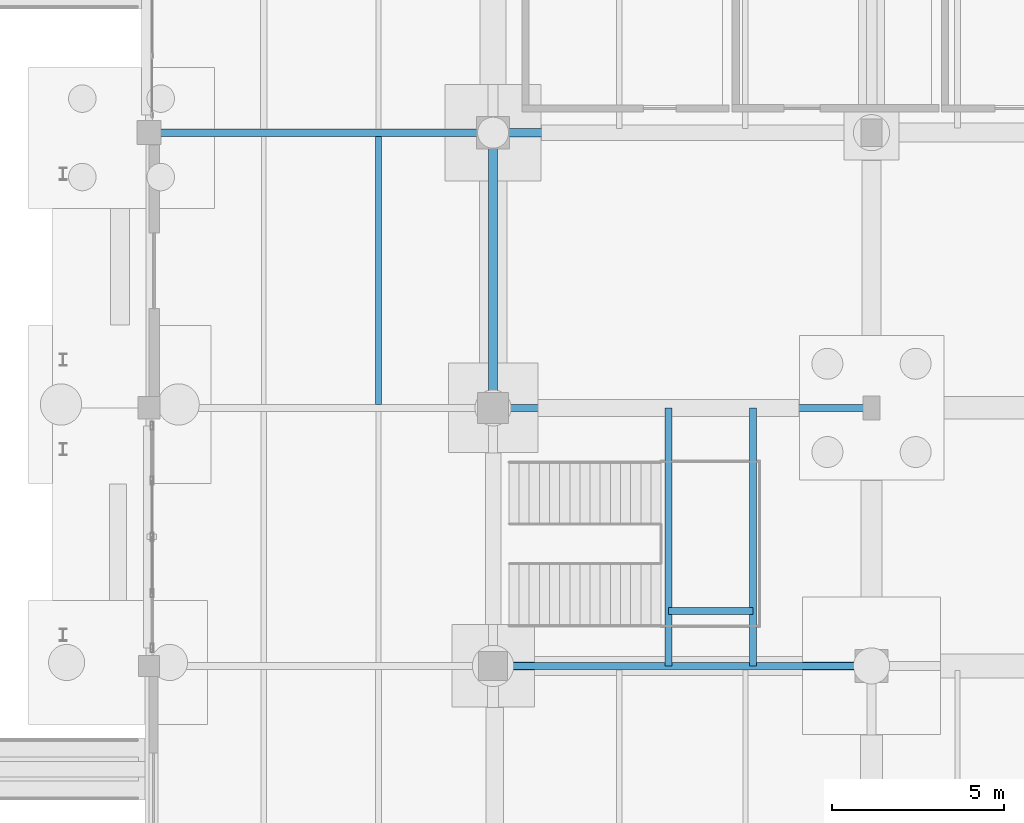
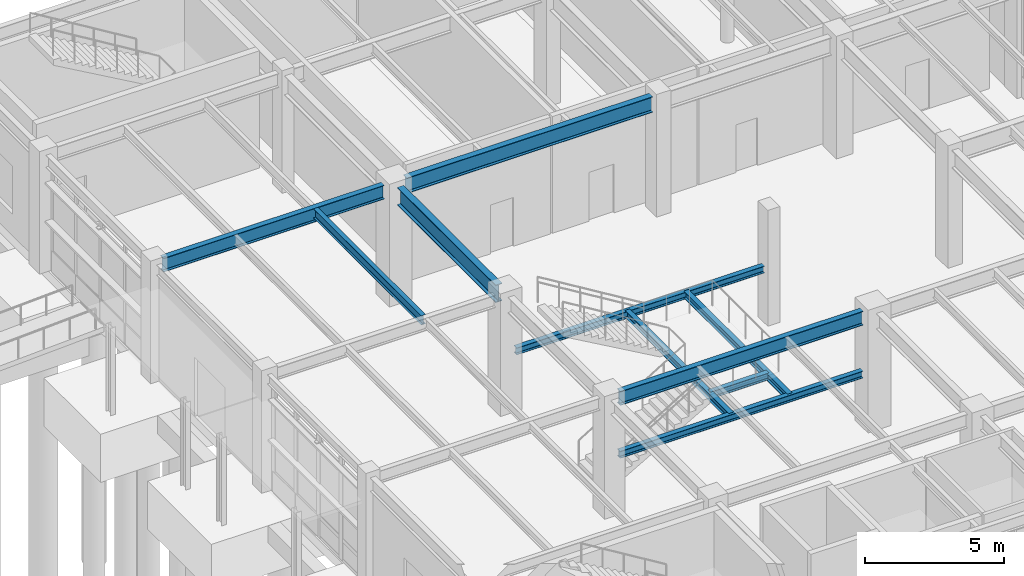
# One storey, part 35 of 203: 10 beams.
"""IFC4 building model written with IfcOpenShell, lengths in metres."""

from ifc_helpers import new_model, si_unit, direction, frame, origin, origin_2d, place, context, subcontext, project, spatial, i_section, extrude, material, material_profile, profile_set, type_object, element, save


model = new_model("IFC4")

# Units and contexts
model_context = context("Model", 3, precision=1e-05, world=origin(), true_north=direction((0.0, 1.0)))
body_context = subcontext(model_context, "Body", "Model", "MODEL_VIEW")
ifc_project = project(units=[si_unit("LENGTHUNIT", "METRE"), si_unit("AREAUNIT", "SQUARE_METRE"), si_unit("VOLUMEUNIT", "CUBIC_METRE"), si_unit("PLANEANGLEUNIT", "RADIAN"), si_unit("MASSUNIT", "GRAM", prefix="KILO"), si_unit("THERMODYNAMICTEMPERATUREUNIT", "KELVIN"), si_unit("POWERUNIT", "WATT")], contexts=[model_context])

# Site, building, storey
site_placement = place(None, origin())
site = spatial("IfcSite", under=ifc_project, at=site_placement, CompositionType="ELEMENT")
building_placement = place(site_placement, origin())
building = spatial("IfcBuilding", under=site, at=building_placement, Name="Tepalcoro Natatorium and Aquatics Centre", CompositionType="ELEMENT")
storey_placement = place(building_placement, origin())
storey = spatial("IfcBuildingStorey", under=building, at=storey_placement, Name="L00", CompositionType="ELEMENT", Elevation=0.0)

# Beams
ifc_material = material(Name="Steel ASTM A992 Grade 50 (Fy 345 MPa)", Category="steel")
ifc_material_profile_1 = material_profile(ifc_material, i_section(OverallWidth=0.202880859375, OverallDepth=0.304931640625, WebThickness=0.007080078125, FlangeThickness=0.012939453125, FilletRadius=0.013916015625, at=origin_2d()), Name="W12X40")
ifc_profile_set_1 = profile_set([ifc_material_profile_1], Name="Steel ASTM A992 Grade 50 (Fy 345 MPa)")
beam_type_1 = type_object("IfcBeamType", Name="BM_W12x40", PredefinedType="BEAM", material=ifc_profile_set_1)
beam_1_placement = place(storey_placement, frame((10.409912109375, 20.5, 2.347412109375), z_axis=(1.0, 0.0, 0.0), x_axis=(0.0, 1.0, 0.0)))
element("IfcBeam", 1, at=beam_1_placement, inside=storey, type_object=beam_type_1, Name="Atrium Feature Stair Mid-Height Header S", PredefinedType="BEAM", context=body_context, shape_type="SweptSolid", body=[
    extrude(i_section(OverallWidth=0.202880859375, OverallDepth=0.304931640625, WebThickness=0.007080078125, FlangeThickness=0.012939453125, FilletRadius=0.013916015625, at=origin_2d()), origin(), (0.0, 0.0, 1.0), 10.130126953125),
])
beam_2_placement = place(storey_placement, frame((10.43505859375, 28.0, 2.347412109375), z_axis=(1.0, 0.0, 0.0), x_axis=(0.0, 1.0, 0.0)))
element("IfcBeam", 2, at=beam_2_placement, inside=storey, type_object=beam_type_1, Name="Atrium Feature Stair Mid-Height Header N", PredefinedType="BEAM", context=body_context, shape_type="SweptSolid", body=[
    extrude(i_section(OverallWidth=0.202880859375, OverallDepth=0.304931640625, WebThickness=0.007080078125, FlangeThickness=0.012939453125, FilletRadius=0.013916015625, at=origin_2d()), origin(), (0.0, 0.0, 1.0), 10.329833984375),
])
for number, where, z_axis, x_axis, name in (
    (3, (15.10009765625, 20.501953125, 2.347412109375), (0.0, 1.0, 0.0), (-1.0, 0.0, 0.0), "Atrium Feature Stair Landing Trimmer W"),
    (4, (17.550048828125, 20.501953125, 2.347412109375), (0.0, 1.0, 0.0), (-1.0, 0.0, 0.0), "Atrium Feature Stair Landing Trimmer E"),
):
    element("IfcBeam", number, at=place(storey_placement, frame(where, z_axis=z_axis, x_axis=x_axis)), inside=storey, type_object=beam_type_1, Name=name, PredefinedType="BEAM", context=body_context, shape_type="SweptSolid", body=[
        extrude(i_section(OverallWidth=0.202880859375, OverallDepth=0.304931640625, WebThickness=0.007080078125, FlangeThickness=0.012939453125, FilletRadius=0.013916015625, at=origin_2d()), origin(), (0.0, 0.0, 1.0), 7.49609375),
    ])
beam_3_placement = place(storey_placement, frame((15.10205078125, 22.10009765625, 2.347412109375), z_axis=(1.0, 0.0, 0.0), x_axis=(0.0, 1.0, 0.0)))
element("IfcBeam", 5, at=beam_3_placement, inside=storey, type_object=beam_type_1, Name="Atrium Feature Stair Landing Cross-Beam M", PredefinedType="BEAM", context=body_context, shape_type="SweptSolid", body=[
    extrude(i_section(OverallWidth=0.202880859375, OverallDepth=0.304931640625, WebThickness=0.007080078125, FlangeThickness=0.012939453125, FilletRadius=0.013916015625, at=origin_2d()), origin(), (0.0, 0.0, 1.0), 2.446044921875),
])
ifc_material_profile_2 = material_profile(ifc_material, i_section(OverallWidth=0.22802734375, OverallDepth=0.60693359375, WebThickness=0.010986328125, FlangeThickness=0.01708984375, FilletRadius=0.013916015625, at=origin_2d()), Name="W24X76")
ifc_profile_set_2 = profile_set([ifc_material_profile_2], Name="Steel ASTM A992 Grade 50 (Fy 345 MPa)")
beam_type_2 = type_object("IfcBeamType", Name="BM_W24x76", PredefinedType="BEAM", material=ifc_profile_set_2)
beam_4_placement = place(storey_placement, frame((0.3349609375, 36.0, 4.841552734375), z_axis=(1.0, 0.0, 0.0), x_axis=(0.0, 1.0, 0.0)))
element("IfcBeam", 6, at=beam_4_placement, inside=storey, type_object=beam_type_2, Name="V3 L00 Grid Girder X", PredefinedType="BEAM", context=body_context, shape_type="SweptSolid", body=[
    extrude(i_section(OverallWidth=0.22802734375, OverallDepth=0.60693359375, WebThickness=0.010986328125, FlangeThickness=0.01708984375, FilletRadius=0.013916015625, at=origin_2d()), origin(), (0.0, 0.0, 1.0), 9.205078125),
])
ifc_material_profile_3 = material_profile(ifc_material, i_section(OverallWidth=0.22998046875, OverallDepth=0.616943359375, WebThickness=0.012939453125, FlangeThickness=0.02197265625, FilletRadius=0.013916015625, at=origin_2d()), Name="W24X94")
ifc_profile_set_3 = profile_set([ifc_material_profile_3], Name="Steel ASTM A992 Grade 50 (Fy 345 MPa)")
beam_type_3 = type_object("IfcBeamType", Name="BM_W24x94", PredefinedType="BEAM", material=ifc_profile_set_3)
beam_5_placement = place(storey_placement, frame((10.409912109375, 20.5, 4.83642578125), z_axis=(1.0, 0.0, 0.0), x_axis=(0.0, 1.0, 0.0)))
element("IfcBeam", 7, at=beam_5_placement, inside=storey, type_object=beam_type_3, Name="V3 L00 Grid Girder X", PredefinedType="BEAM", context=body_context, shape_type="SweptSolid", body=[
    extrude(i_section(OverallWidth=0.22998046875, OverallDepth=0.616943359375, WebThickness=0.012939453125, FlangeThickness=0.02197265625, FilletRadius=0.013916015625, at=origin_2d()), origin(), (0.0, 0.0, 1.0), 10.130126953125),
])
ifc_material_profile_4 = material_profile(ifc_material, i_section(OverallWidth=0.25390625, OverallDepth=0.68798828125, WebThickness=0.012939453125, FlangeThickness=0.02099609375, FilletRadius=0.013916015625, at=origin_2d()), Name="W27X102")
ifc_profile_set_4 = profile_set([ifc_material_profile_4], Name="Steel ASTM A992 Grade 50 (Fy 345 MPa)")
beam_type_4 = type_object("IfcBeamType", Name="BM_W27x102", PredefinedType="BEAM", material=ifc_profile_set_4)
beam_6_placement = place(storey_placement, frame((10.4599609375, 36.0, 4.801025390625), z_axis=(1.0, 0.0, 0.0), x_axis=(0.0, 1.0, 0.0)))
element("IfcBeam", 8, at=beam_6_placement, inside=storey, type_object=beam_type_4, Name="V3 L00 Grid Girder X", PredefinedType="BEAM", context=body_context, shape_type="SweptSolid", body=[
    extrude(i_section(OverallWidth=0.25390625, OverallDepth=0.68798828125, WebThickness=0.012939453125, FlangeThickness=0.02099609375, FilletRadius=0.013916015625, at=origin_2d()), origin(), (0.0, 0.0, 1.0), 10.255126953125),
])
ifc_material_profile_5 = material_profile(ifc_material, i_section(OverallWidth=0.26708984375, OverallDepth=0.780029296875, WebThickness=0.01708984375, FlangeThickness=0.030029296875, FilletRadius=0.013916015625, at=origin_2d()), Name="W30X148")
ifc_profile_set_5 = profile_set([ifc_material_profile_5], Name="Steel ASTM A992 Grade 50 (Fy 345 MPa)")
beam_type_5 = type_object("IfcBeamType", Name="BM_W30x148", PredefinedType="BEAM", material=ifc_profile_set_5)
beam_7_placement = place(storey_placement, frame((10.0, 28.43505859375, 4.7548828125), z_axis=(0.0, 1.0, 0.0), x_axis=(-1.0, 0.0, 0.0)))
element("IfcBeam", 9, at=beam_7_placement, inside=storey, type_object=beam_type_5, Name="V3 L00 Grid Girder Y", PredefinedType="BEAM", context=body_context, shape_type="SweptSolid", body=[
    extrude(i_section(OverallWidth=0.26708984375, OverallDepth=0.780029296875, WebThickness=0.01708984375, FlangeThickness=0.030029296875, FilletRadius=0.013916015625, at=origin_2d()), origin(), (0.0, 0.0, 1.0), 7.10498046875),
])
ifc_material_profile_6 = material_profile(ifc_material, i_section(OverallWidth=0.178955078125, OverallDepth=0.409912109375, WebThickness=0.009033203125, FlangeThickness=0.013916015625, FilletRadius=0.013916015625, at=origin_2d()), Name="W16X45")
ifc_profile_set_6 = profile_set([ifc_material_profile_6], Name="Steel ASTM A992 Grade 50 (Fy 345 MPa)")
beam_type_6 = type_object("IfcBeamType", Name="JS_W16x45", PredefinedType="JOIST", material=ifc_profile_set_6)
beam_8_placement = place(storey_placement, frame((6.666748046875, 28.10595703125, 4.93994140625), z_axis=(0.0, 1.0, 0.0), x_axis=(-1.0, 0.0, 0.0)))
element("IfcBeam", 10, at=beam_8_placement, inside=storey, type_object=beam_type_6, Name="V3 L00 Floor Joist", PredefinedType="JOIST", context=body_context, shape_type="SweptSolid", body=[
    extrude(i_section(OverallWidth=0.178955078125, OverallDepth=0.409912109375, WebThickness=0.009033203125, FlangeThickness=0.013916015625, FilletRadius=0.013916015625, at=origin_2d()), origin(), (0.0, 0.0, 1.0), 7.780029296875),
])

save(model, "model.ifc")
